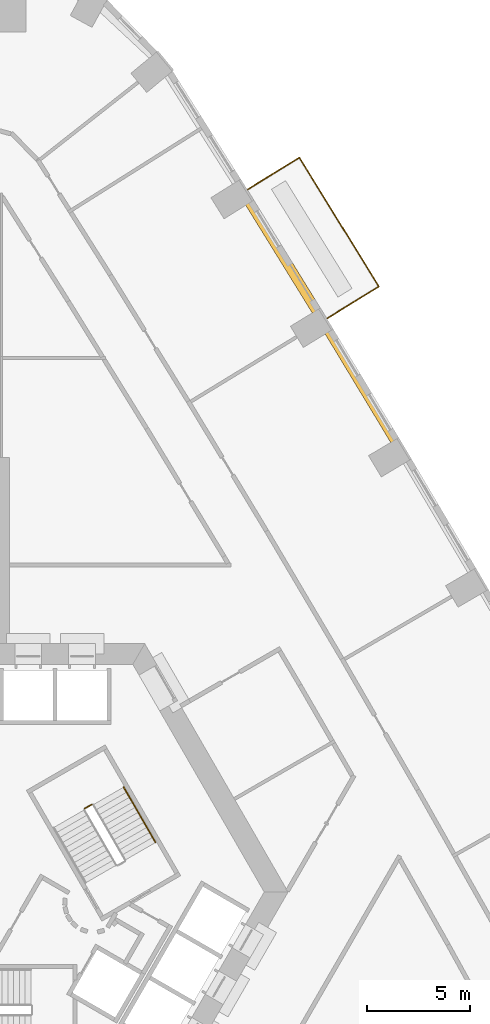
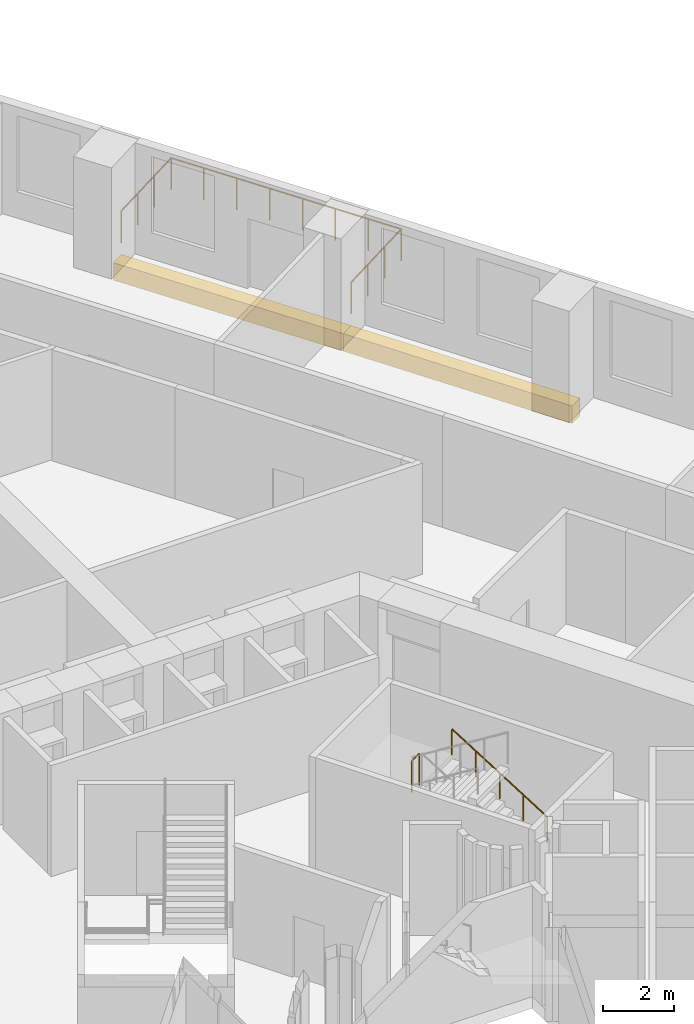
# One storey, part 15 of 16: 3 railings, 2 coverings.
"""IFC4 building model written with IfcOpenShell, lengths in metres."""

from ifc_helpers import new_model, si_unit, direction, frame, origin, origin_2d, place, context, subcontext, project, spatial, polyline, circle, outline, extrude, material, type_object, element, save


model = new_model("IFC4")

# Units and contexts
model_context = context("Model", 3, precision=1e-05, world=origin(), true_north=direction((0.0, 1.0)))
body_context = subcontext(model_context, "Body", "Model", "MODEL_VIEW")
ifc_project = project(units=[si_unit("LENGTHUNIT", "METRE"), si_unit("AREAUNIT", "SQUARE_METRE"), si_unit("VOLUMEUNIT", "CUBIC_METRE"), si_unit("PLANEANGLEUNIT", "RADIAN"), si_unit("MASSUNIT", "GRAM", prefix="KILO")], contexts=[model_context])

# Site, building, storey
site_placement = place(None, origin())
site = spatial("IfcSite", under=ifc_project, at=site_placement, CompositionType="ELEMENT")
building_placement = place(site_placement, origin())
building = spatial("IfcBuilding", under=site, at=building_placement, Name="Entoto Arch Interchange Tower", CompositionType="ELEMENT")
storey_placement = place(building_placement, frame((0.0, 0.0, 47.60009765625)))
storey = spatial("IfcBuildingStorey", under=building, at=storey_placement, Name="L09", CompositionType="ELEMENT", Elevation=47.60009765625)

# Railing
ifc_material_1 = material(Name="Stainless steel 1.4301", Category="steel")
railing_type_1 = type_object("IfcRailingType", Name="GUARD 1100 STEEL AND GLASS", PredefinedType="GUARDRAIL", material=ifc_material_1)
railing_1_placement = place(storey_placement, frame((15.72900390625, 30.2119140625, 0.0)))
element("IfcRailing", 1, at=railing_1_placement, inside=storey, type_object=railing_type_1, Name="Balcony guard NE-08 L09", PredefinedType="GUARDRAIL", context=body_context, shape_type="SweptSolid", body=[
    extrude(circle(Radius=0.02392578125, at=origin_2d()), frame((0.0, 0.0, 1.076171875), z_axis=(0.851075350187, 0.525043568006, 0.0), x_axis=(-0.525043568006, 0.851075350187, 0.0)), (0.0, 0.0, 1.0), 2.950439453125),
    extrude(circle(Radius=0.02392578125, at=origin_2d()), frame((2.510986328125, 1.549072265625, 1.076171875), z_axis=(-0.525007100846, 0.85109784635, 0.0), x_axis=(-0.85109784635, -0.525007100846, 0.0)), (0.0, 0.0, 1.0), 7.31982421875),
    extrude(circle(Radius=0.02392578125, at=origin_2d()), frame((-1.33203125, 7.779052734375, 1.076171875), z_axis=(-0.851075350187, -0.525043568006, 0.0), x_axis=(0.525043568006, -0.851075350187, 0.0)), (0.0, 0.0, 1.0), 2.950439453125),
    extrude(circle(Radius=0.02099609375, at=origin_2d()), origin(), (0.0, 0.0, 1.0), 1.052001953125),
    extrude(circle(Radius=0.02099609375, at=origin_2d()), frame((0.8369140625, 0.516357421875, 0.0)), (0.0, 0.0, 1.0), 1.052001953125),
    extrude(circle(Radius=0.02099609375, at=origin_2d()), frame((1.674072265625, 1.03271484375, 0.0)), (0.0, 0.0, 1.0), 1.052001953125),
    extrude(circle(Radius=0.02099609375, at=origin_2d()), frame((2.510986328125, 1.549072265625, 0.0)), (0.0, 0.0, 1.0), 1.052001953125),
    extrude(circle(Radius=0.02099609375, at=origin_2d()), frame((1.9619140625, 2.43896484375, 0.0)), (0.0, 0.0, 1.0), 1.052001953125),
    extrude(circle(Radius=0.02099609375, at=origin_2d()), frame((1.4130859375, 3.3291015625, 0.0)), (0.0, 0.0, 1.0), 1.052001953125),
    extrude(circle(Radius=0.02099609375, at=origin_2d()), frame((0.864013671875, 4.218994140625, 0.0)), (0.0, 0.0, 1.0), 1.052001953125),
    extrude(circle(Radius=0.02099609375, at=origin_2d()), frame((0.31494140625, 5.109130859375, 0.0)), (0.0, 0.0, 1.0), 1.052001953125),
    extrude(circle(Radius=0.02099609375, at=origin_2d()), frame((-0.234130859375, 5.9990234375, 0.0)), (0.0, 0.0, 1.0), 1.052001953125),
    extrude(circle(Radius=0.02099609375, at=origin_2d()), frame((-0.782958984375, 6.88916015625, 0.0)), (0.0, 0.0, 1.0), 1.052001953125),
    extrude(circle(Radius=0.02099609375, at=origin_2d()), frame((-1.33203125, 7.779052734375, 0.0)), (0.0, 0.0, 1.0), 1.052001953125),
    extrude(circle(Radius=0.02099609375, at=origin_2d()), frame((-2.1689453125, 7.2626953125, 0.0)), (0.0, 0.0, 1.0), 1.052001953125),
    extrude(circle(Radius=0.02099609375, at=origin_2d()), frame((-3.006103515625, 6.746337890625, 0.0)), (0.0, 0.0, 1.0), 1.052001953125),
    extrude(circle(Radius=0.02099609375, at=origin_2d()), frame((-3.843017578125, 6.22998046875, 0.0)), (0.0, 0.0, 1.0), 1.052001953125),
])

# Coverings
ifc_material_2 = material(Name="Board-marked precast concrete C50/60", Category="concrete")
covering_type = type_object("IfcCoveringType", Name="PRECAST LEDGE COURSE", PredefinedType="CLADDING", material=ifc_material_2)
covering_1_placement = place(storey_placement, frame((0.0, 0.0, -1.0)))
element("IfcCovering", 2, at=covering_1_placement, inside=storey, type_object=covering_type, Name="Precast course NE-07 L09", PredefinedType="CLADDING", context=body_context, shape_type="SweptSolid", body=[
    extrude(outline(polyline([(15.339111328125, 29.972900390625), (15.72900390625, 30.2119140625), (19.511962890625, 23.944091796875), (19.123046875, 23.7119140625), (15.339111328125, 29.972900390625)])), origin(), (0.0, 0.0, 1.0), 0.599853515625),
])
covering_2_placement = place(storey_placement, frame((0.0, 0.0, -1.0)))
element("IfcCovering", 3, at=covering_2_placement, inside=storey, type_object=covering_type, Name="Precast course NE-08 L09", PredefinedType="CLADDING", context=body_context, shape_type="SweptSolid", body=[
    extrude(outline(polyline([(11.491943359375, 36.196044921875), (11.885986328125, 36.44189453125), (15.72900390625, 30.2119140625), (15.339111328125, 29.972900390625), (11.491943359375, 36.196044921875)])), origin(), (0.0, 0.0, 1.0), 0.599853515625),
])

# Railings
railing_type_2 = type_object("IfcRailingType", Name="STAIR GUARD 1100 STEEL", PredefinedType="GUARDRAIL", material=ifc_material_1)
railing_2_placement = place(storey_placement, frame((4.36962890625, 6.731689453125, 2.099853515625)))
element("IfcRailing", 4, at=railing_2_placement, inside=storey, type_object=railing_type_2, Name="L09 ST-NE stair guard 2", PredefinedType="GUARDRAIL", context=body_context, shape_type="SweptSolid", body=[
    extrude(circle(Radius=0.02392578125, at=origin_2d()), frame((0.0, 0.0, 1.076171875), z_axis=(-0.866094119867, -0.499880961361, 0.0), x_axis=(0.499880961361, -0.866094119867, 0.0)), (0.0, 0.0, 1.0), 0.39990234375),
    extrude(circle(Radius=0.02099609375, at=origin_2d()), origin(), (0.0, 0.0, 1.0), 1.052001953125),
    extrude(circle(Radius=0.02099609375, at=origin_2d()), frame((-0.346435546875, -0.199951171875, 0.0)), (0.0, 0.0, 1.0), 1.052001953125),
])
railing_type_3 = type_object("IfcRailingType", Name="STAIR HANDRAIL 900 STEEL", PredefinedType="HANDRAIL", material=ifc_material_1)
railing_3_placement = place(storey_placement, frame((7.4501953125, 4.89599609375, 0.1748046875)))
element("IfcRailing", 5, at=railing_3_placement, inside=storey, type_object=railing_type_3, Name="L09 ST-NE stair handrail 1", PredefinedType="HANDRAIL", context=body_context, shape_type="SweptSolid", body=[
    extrude(circle(Radius=0.02392578125, at=origin_2d()), frame((0.0, 0.0, 0.8759765625), z_axis=(-0.423994474112, 0.734394994316, 0.52999309264), x_axis=(-0.866029832698, -0.499992328818, 0.0)), (0.0, 0.0, 1.0), 3.63232421875),
    extrude(circle(Radius=0.02099609375, at=origin_2d()), origin(), (0.0, 0.0, 1.0), 0.851806640625),
    extrude(circle(Radius=0.02099609375, at=origin_2d()), frame((-0.385009765625, 0.6669921875, 0.481201171875)), (0.0, 0.0, 1.0), 0.851806640625),
    extrude(circle(Radius=0.02099609375, at=origin_2d()), frame((-0.77001953125, 1.333740234375, 0.96240234375)), (0.0, 0.0, 1.0), 0.851806640625),
    extrude(circle(Radius=0.02099609375, at=origin_2d()), frame((-1.155029296875, 2.00048828125, 1.44384765625)), (0.0, 0.0, 1.0), 0.851806640625),
    extrude(circle(Radius=0.02099609375, at=origin_2d()), frame((-1.5400390625, 2.66748046875, 1.925048828125)), (0.0, 0.0, 1.0), 0.851806640625),
])

save(model, "model.ifc")
